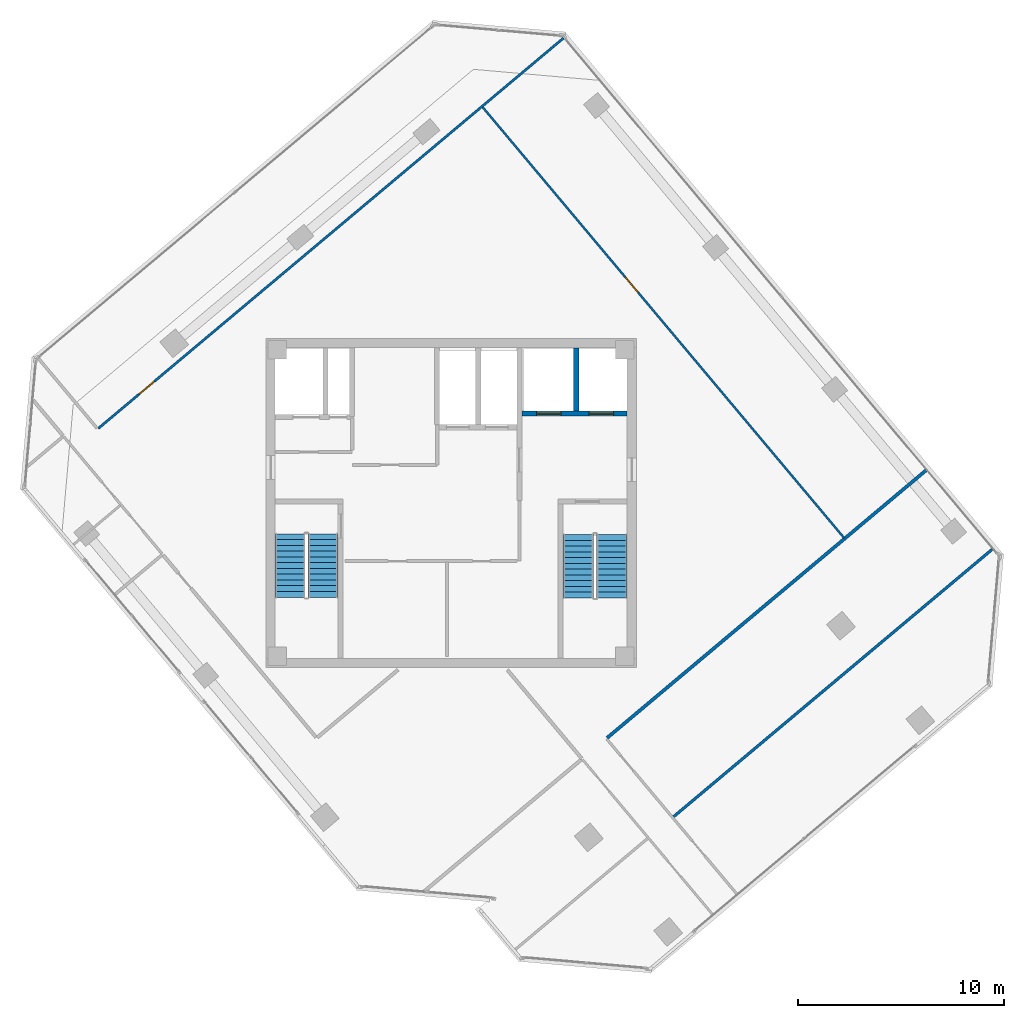
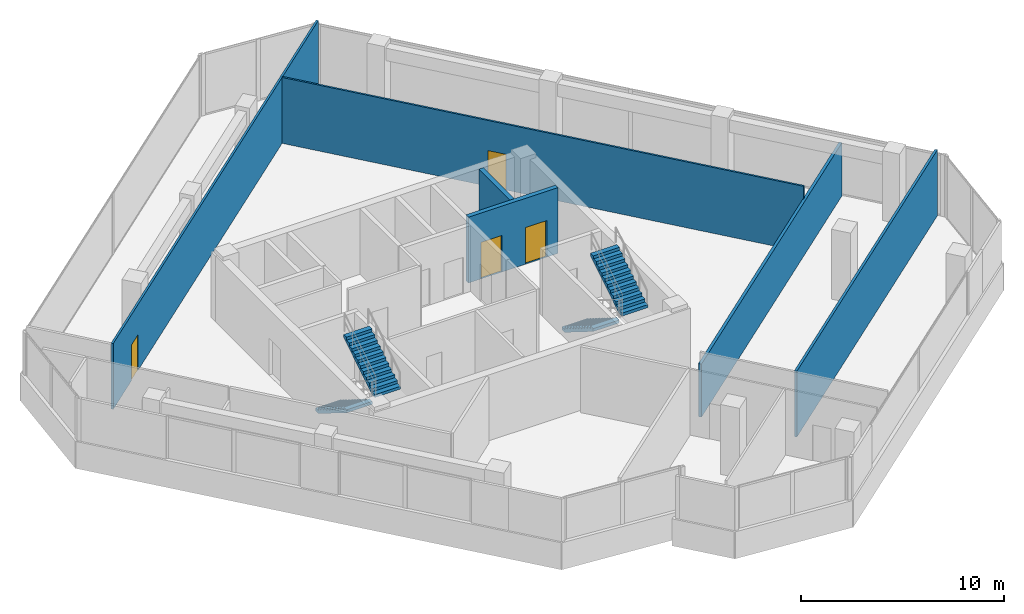
# One storey, part 14 of 17: 6 walls, 4 doors, 4 stair flights, 4 openings, 2 elements without a shape of their own.
"""IFC4 building model written with IfcOpenShell, lengths in metres."""

from ifc_helpers import new_model, si_unit, direction, frame, frame_2d, origin, place, context, subcontext, project, spatial, polyline, rectangle, outline, extrude, source, transform, mapped, material, layer, layer_set, type_object, element, fill, aggregate, save


model = new_model("IFC4")

# Units and contexts
model_context = context("Model", 3, precision=1e-05, world=origin(), true_north=direction((0.0, 1.0)))
body_context = subcontext(model_context, "Body", "Model", "MODEL_VIEW")
ifc_project = project(units=[si_unit("LENGTHUNIT", "METRE"), si_unit("AREAUNIT", "SQUARE_METRE"), si_unit("VOLUMEUNIT", "CUBIC_METRE"), si_unit("PLANEANGLEUNIT", "RADIAN"), si_unit("MASSUNIT", "GRAM", prefix="KILO")], contexts=[model_context])

# Site, building, storey
site_placement = place(None, origin())
site = spatial("IfcSite", under=ifc_project, at=site_placement, CompositionType="ELEMENT")
building_placement = place(site_placement, origin())
building = spatial("IfcBuilding", under=site, at=building_placement, Name="Torre Montelarca", CompositionType="ELEMENT")
storey_placement = place(building_placement, frame((0.0, 0.0, 271.0)))
storey = spatial("IfcBuildingStorey", under=building, at=storey_placement, Name="L61", CompositionType="ELEMENT", Elevation=271.0)

# Wall, openings, doors
ifc_material_1 = material(Name="Concrete C40/50", Category="concrete")
ifc_layer_1 = layer(ifc_material_1, 0.25, Name="Concrete C40/50", Category="concrete")
ifc_layer_set_1 = layer_set([ifc_layer_1], Name="Concrete C40/50")
wall_type_1 = type_object("IfcWallType", Name="CW-SHAFT-250", PredefinedType="SHEAR", material=ifc_layer_set_1)
wall_1_placement = place(storey_placement, frame((21.449951171875, 36.35009765625, 0.0), z_axis=(0.0, 0.0, 1.0), x_axis=(1.0, 0.0, 0.0)))
wall_1 = element("IfcWall", 1, at=wall_1_placement, inside=storey, type_object=wall_type_1, Name="L61 Core Shear Wall SH-FF-S", PredefinedType="SHEAR", context=body_context, shape_type="SweptSolid", body=[
    extrude(rectangle(XDim=5.090087890625, YDim=0.25, at=frame_2d((2.544921875, 0.0))), origin(), (0.0, 0.0, 1.0), 3.9599609375),
])
opening_1_placement = place(wall_1_placement, frame((0.699951171875, 0.0, 0.0)))
opening_1 = element("IfcOpeningElement", 2, at=opening_1_placement, cuts=wall_1, Name="Opening LD-120", PredefinedType="OPENING", context=body_context, shape_type="SweptSolid", body=[
    extrude(rectangle(XDim=1.199951171875, YDim=2.199951171875, at=frame_2d((0.60009765625, 1.10009765625))), frame((0.0, 0.135009765625, 0.0), z_axis=(0.0, -1.0, 0.0), x_axis=(1.0, 0.0, 0.0)), (0.0, 0.0, 1.0), 0.27001953125),
])
opening_2_placement = place(wall_1_placement, frame((3.25, 0.0, 0.0)))
opening_2 = element("IfcOpeningElement", 3, at=opening_2_placement, cuts=wall_1, Name="Opening LD-120", PredefinedType="OPENING", context=body_context, shape_type="SweptSolid", body=[
    extrude(rectangle(XDim=1.199951171875, YDim=2.199951171875, at=frame_2d((0.60009765625, 1.10009765625))), frame((0.0, 0.135009765625, 0.0), z_axis=(0.0, -1.0, 0.0), x_axis=(1.0, 0.0, 0.0)), (0.0, 0.0, 1.0), 0.27001953125),
])
ifc_material_2 = material(Name="Brushed stainless steel AISI 316", Category="steel")
door_type_1 = type_object("IfcDoorType", Name="DR-LIFT-120", OperationType="SLIDING_TO_RIGHT", PredefinedType="DOOR", material=ifc_material_2)
shared_shape_1 = source(origin(), body_context, "Body", "SweptSolid", [
    extrude(rectangle(XDim=1.199951171875, YDim=2.199951171875, at=frame_2d((0.60009765625, 1.10009765625))), frame((0.0, 0.02490234375, 0.0), z_axis=(0.0, -1.0, 0.0), x_axis=(1.0, 0.0, 0.0)), (0.0, 0.0, 1.0), 0.050048828125),
])
door_1_placement = place(opening_1_placement, origin())
door_1 = element("IfcDoor", 4, at=door_1_placement, inside=storey, type_object=door_type_1, Name="L61 Lift Landing Sliding Door FF-1", OperationType="SLIDING_TO_LEFT", OverallHeight=2.199951171875, OverallWidth=1.199951171875, PredefinedType="DOOR", context=body_context, shape_type="MappedRepresentation", body=[
    mapped(shared_shape_1, transform((0.0, 0.0, 0.0), scale=1.0)),
])
fill(opening_1, door_1)
door_2_placement = place(opening_2_placement, origin())
door_2 = element("IfcDoor", 5, at=door_2_placement, inside=storey, type_object=door_type_1, Name="L61 Lift Landing Sliding Door FF-2", OperationType="SLIDING_TO_RIGHT", OverallHeight=2.199951171875, OverallWidth=1.199951171875, PredefinedType="DOOR", context=body_context, shape_type="MappedRepresentation", body=[
    mapped(shared_shape_1, transform((0.0, 0.0, 0.0), scale=1.0)),
])
fill(opening_2, door_2)

# Walls
wall_2_placement = place(storey_placement, frame((24.080078125, 36.47998046875, 0.0), z_axis=(0.0, 0.0, 1.0), x_axis=(0.0, 1.0, 0.0)))
element("IfcWall", 6, at=wall_2_placement, inside=storey, type_object=wall_type_1, Name="L61 Core Shear Wall SH-FF-M", PredefinedType="SHEAR", context=body_context, shape_type="SweptSolid", body=[
    extrude(rectangle(XDim=3.06005859375, YDim=0.25, at=frame_2d((1.530029296875, 0.0))), origin(), (0.0, 0.0, 1.0), 3.9599609375),
])
ifc_material_3 = material(Name="Gypsum plasterboard on steel stud", Category="steel")
ifc_layer_2 = layer(ifc_material_3, 0.159912109375, Name="Gypsum plasterboard on steel stud", Category="steel")
ifc_layer_set_2 = layer_set([ifc_layer_2], Name="Gypsum plasterboard on steel stud")
wall_type_2 = type_object("IfcWallType", Name="PW-FIRE-160", PredefinedType="PARTITIONING", material=ifc_layer_set_2)
wall_3_placement = place(storey_placement, frame((25.57568359375, 20.577392578125, 0.0), z_axis=(0.0, 0.0, 1.0), x_axis=(0.76604764673, 0.642783791752, 0.0)))
element("IfcWall", 7, at=wall_3_placement, inside=storey, type_object=wall_type_2, Name="L61 Interior Partition W-L61-ECN", PredefinedType="PARTITIONING", context=body_context, shape_type="SweptSolid", body=[
    extrude(rectangle(XDim=20.239990234375, YDim=0.159912109375, at=frame_2d((10.1201171875, 0.0))), origin(), (0.0, 0.0, 1.0), 3.195068359375),
])

# Wall, opening, door
ifc_material_4 = material(Name="Acoustic laminated glass partition", Category="glass")
ifc_layer_3 = layer(ifc_material_4, 0.10009765625, Name="Acoustic laminated glass partition", Category="glass")
ifc_layer_set_3 = layer_set([ifc_layer_3], Name="Acoustic laminated glass partition")
wall_type_3 = type_object("IfcWallType", Name="PW-GLAZ-100", PredefinedType="PARTITIONING", material=ifc_layer_set_3)
wall_4_placement = place(storey_placement, frame((19.5283203125, 51.2451171875, 0.0), z_axis=(0.0, 0.0, 1.0), x_axis=(0.642782364439, -0.766048844374, 0.0)))
wall_4 = element("IfcWall", 8, at=wall_4_placement, inside=storey, type_object=wall_type_3, Name="L61 Interior Partition W-L61-NBOT", PredefinedType="PARTITIONING", context=body_context, shape_type="SweptSolid", body=[
    extrude(rectangle(XDim=27.340087890625, YDim=0.10009765625, at=frame_2d((13.669921875, 0.0))), origin(), (0.0, 0.0, 1.0), 3.9599609375),
])
opening_3_placement = place(wall_4_placement, frame((10.800048828125, 0.0, 0.0)))
opening_3 = element("IfcOpeningElement", 9, at=opening_3_placement, cuts=wall_4, Name="Opening ID-095", PredefinedType="OPENING", context=body_context, shape_type="SweptSolid", body=[
    extrude(rectangle(XDim=0.949951171875, YDim=2.14990234375, at=frame_2d((0.47509765625, 1.074951171875))), frame((0.0, 0.06005859375, 0.0), z_axis=(0.0, -1.0, 0.0), x_axis=(1.0, 0.0, 0.0)), (0.0, 0.0, 1.0), 0.1201171875),
])
ifc_material_5 = material(Name="Hardwood acoustic timber veneer", Category="wood")
door_type_2 = type_object("IfcDoorType", Name="DR-INT-095", OperationType="NOTDEFINED", PredefinedType="DOOR", material=ifc_material_5)
shared_shape_2 = source(origin(), body_context, "Body", "SweptSolid", [
    extrude(rectangle(XDim=0.949951171875, YDim=2.14990234375, at=frame_2d((0.47509765625, 1.074951171875))), frame((0.0, 0.02490234375, 0.0), z_axis=(0.0, -1.0, 0.0), x_axis=(1.0, 0.0, 0.0)), (0.0, 0.0, 1.0), 0.050048828125),
])
door_3_placement = place(opening_3_placement, origin())
door_3 = element("IfcDoor", 10, at=door_3_placement, inside=storey, type_object=door_type_2, Name="L61 Interior Door 08", OperationType="SINGLE_SWING_LEFT", OverallHeight=2.14990234375, OverallWidth=0.949951171875, PredefinedType="DOOR", context=body_context, shape_type="MappedRepresentation", body=[
    mapped(shared_shape_2, transform((0.0, 0.0, 0.0), scale=1.0)),
])
fill(opening_3, door_3)

ifc_layer_4 = layer(ifc_material_3, 0.114990234375, Name="Gypsum plasterboard on steel stud", Category="steel")
ifc_layer_set_4 = layer_set([ifc_layer_4], Name="Gypsum plasterboard on steel stud")
wall_type_4 = type_object("IfcWallType", Name="PW-PART-115", PredefinedType="PARTITIONING", material=ifc_layer_set_4)
wall_5_placement = place(storey_placement, frame((0.849365234375, 35.623779296875, 0.0), z_axis=(0.0, 0.0, 1.0), x_axis=(0.766042777978, 0.642789594119, 0.0)))
wall_5 = element("IfcWall", 11, at=wall_5_placement, inside=storey, type_object=wall_type_4, Name="L61 Interior Partition W-L61-WWGE", PredefinedType="PARTITIONING", context=body_context, shape_type="SweptSolid", body=[
    extrude(rectangle(XDim=29.510009765625, YDim=0.114990234375, at=frame_2d((14.7548828125, 0.0))), origin(), (0.0, 0.0, 1.0), 3.9599609375),
])
opening_4_placement = place(wall_5_placement, frame((2.60009765625, 0.0, 0.0)))
opening_4 = element("IfcOpeningElement", 12, at=opening_4_placement, cuts=wall_5, Name="Opening ID-095", PredefinedType="OPENING", context=body_context, shape_type="SweptSolid", body=[
    extrude(rectangle(XDim=0.949951171875, YDim=2.14990234375, at=frame_2d((0.47509765625, 1.074951171875))), frame((0.0, 0.0673828125, 0.0), z_axis=(0.0, -1.0, 0.0), x_axis=(1.0, 0.0, 0.0)), (0.0, 0.0, 1.0), 0.135009765625),
])
door_4_placement = place(opening_4_placement, origin())
door_4 = element("IfcDoor", 13, at=door_4_placement, inside=storey, type_object=door_type_2, Name="L61 Interior Door 09", OperationType="SINGLE_SWING_LEFT", OverallHeight=2.14990234375, OverallWidth=0.949951171875, PredefinedType="DOOR", context=body_context, shape_type="MappedRepresentation", body=[
    mapped(shared_shape_2, transform((0.0, 0.0, 0.0), scale=1.0)),
])
fill(opening_4, door_4)

# Wall
ifc_layer_5 = layer(ifc_material_3, 0.135009765625, Name="Gypsum plasterboard on steel stud", Category="steel")
ifc_layer_set_5 = layer_set([ifc_layer_5], Name="Gypsum plasterboard on steel stud")
wall_type_5 = type_object("IfcWallType", Name="PW-PART-135", PredefinedType="PARTITIONING", material=ifc_layer_set_5)
wall_6_placement = place(storey_placement, frame((28.796142578125, 16.739501953125, 0.0), z_axis=(0.0, 0.0, 1.0), x_axis=(0.766036723368, 0.642796809616, 0.0)))
element("IfcWall", 14, at=wall_6_placement, inside=storey, type_object=wall_type_5, Name="L61 Interior Partition W-L61-NEDIV-1", PredefinedType="PARTITIONING", context=body_context, shape_type="SweptSolid", body=[
    extrude(rectangle(XDim=20.239990234375, YDim=0.135009765625, at=frame_2d((10.1201171875, 0.0))), origin(), (0.0, 0.0, 1.0), 3.9599609375),
])

# Stair, stair flights
stair_type_1 = type_object("IfcStairType", Name="ST-CORE-ST1", PredefinedType="HALF_TURN_STAIR", material=ifc_material_1)
stair_1_placement = place(storey_placement, origin())
stair_1 = element("IfcStair", 15, at=stair_1_placement, inside=storey, type_object=stair_type_1, Name="L61 Protected Exit Stair ST1", PredefinedType="HALF_TURN_STAIR")
stair_flight_type_1 = type_object("IfcStairFlightType", Name="SFL-CORE-ST1", PredefinedType="STRAIGHT", material=ifc_material_1)
stair_flight_1_placement = place(storey_placement, frame((10.175048828125, 30.5, 0.0), z_axis=(0.0, 0.0, 1.0), x_axis=(0.0, -1.0, 0.0)))
stair_flight_1 = element("IfcStairFlight", 16, at=stair_flight_1_placement, type_object=stair_flight_type_1, Name="ST1 flight 1", NumberOfRisers=12, NumberOfTreads=11, PredefinedType="STRAIGHT", RiserHeight=0.175, TreadLength=0.28, context=body_context, shape_type="SweptSolid", body=[
    extrude(outline(polyline([(0.0, 0.0), (0.0, 0.175048828125), (0.280029296875, 0.175048828125), (0.280029296875, 0.35009765625), (0.56005859375, 0.35009765625), (0.56005859375, 0.52490234375), (0.840087890625, 0.52490234375), (0.840087890625, 0.699951171875), (1.1201171875, 0.699951171875), (1.1201171875, 0.875), (1.39990234375, 0.875), (1.39990234375, 1.050048828125), (1.679931640625, 1.050048828125), (1.679931640625, 1.22509765625), (1.9599609375, 1.22509765625), (1.9599609375, 1.39990234375), (2.239990234375, 1.39990234375), (2.239990234375, 1.574951171875), (2.52001953125, 1.574951171875), (2.52001953125, 1.75), (2.800048828125, 1.75), (2.800048828125, 1.925048828125), (3.080078125, 1.925048828125), (3.080078125, 2.10009765625), (3.080078125, 1.748291015625), (0.28271484375, 0.0), (0.0, 0.0)])), frame((0.0, 0.72509765625, 0.0), z_axis=(0.0, -1.0, 0.0), x_axis=(1.0, 0.0, 0.0)), (0.0, 0.0, 1.0), 1.449951171875),
])
stair_flight_2_placement = place(storey_placement, frame((11.77490234375, 27.419921875, 2.10009765625), z_axis=(0.0, 0.0, 1.0), x_axis=(0.0, 1.0, 0.0)))
stair_flight_2 = element("IfcStairFlight", 17, at=stair_flight_2_placement, type_object=stair_flight_type_1, Name="ST1 flight 2", NumberOfRisers=12, NumberOfTreads=11, PredefinedType="STRAIGHT", RiserHeight=0.175, TreadLength=0.28, context=body_context, shape_type="SweptSolid", body=[
    extrude(outline(polyline([(0.0, 0.0), (0.0, 0.175048828125), (0.280029296875, 0.175048828125), (0.280029296875, 0.35009765625), (0.56005859375, 0.35009765625), (0.56005859375, 0.52490234375), (0.840087890625, 0.52490234375), (0.840087890625, 0.699951171875), (1.1201171875, 0.699951171875), (1.1201171875, 0.875), (1.39990234375, 0.875), (1.39990234375, 1.050048828125), (1.679931640625, 1.050048828125), (1.679931640625, 1.22509765625), (1.9599609375, 1.22509765625), (1.9599609375, 1.39990234375), (2.239990234375, 1.39990234375), (2.239990234375, 1.574951171875), (2.52001953125, 1.574951171875), (2.52001953125, 1.75), (2.800048828125, 1.75), (2.800048828125, 1.925048828125), (3.080078125, 1.925048828125), (3.080078125, 2.10009765625), (3.080078125, 1.748291015625), (0.28271484375, 0.0), (0.0, 0.0)])), frame((0.0, 0.72509765625, 0.0), z_axis=(0.0, -1.0, 0.0), x_axis=(1.0, 0.0, 0.0)), (0.0, 0.0, 1.0), 1.449951171875),
])
aggregate(stair_1, [stair_flight_1, stair_flight_2])

stair_type_2 = type_object("IfcStairType", Name="ST-CORE-ST2", PredefinedType="HALF_TURN_STAIR", material=ifc_material_1)
stair_2_placement = place(storey_placement, origin())
stair_2 = element("IfcStair", 18, at=stair_2_placement, inside=storey, type_object=stair_type_2, Name="L61 Protected Exit Stair ST2", PredefinedType="HALF_TURN_STAIR")
stair_flight_type_2 = type_object("IfcStairFlightType", Name="SFL-CORE-ST2", PredefinedType="STRAIGHT", material=ifc_material_1)
stair_flight_3_placement = place(storey_placement, frame((24.179931640625, 30.469970703125, 0.0), z_axis=(0.0, 0.0, 1.0), x_axis=(0.0, -1.0, 0.0)))
stair_flight_3 = element("IfcStairFlight", 19, at=stair_flight_3_placement, type_object=stair_flight_type_2, Name="ST2 flight 1", NumberOfRisers=12, NumberOfTreads=11, PredefinedType="STRAIGHT", RiserHeight=0.175, TreadLength=0.28, context=body_context, shape_type="SweptSolid", body=[
    extrude(outline(polyline([(0.0, 0.0), (0.0, 0.175048828125), (0.280029296875, 0.175048828125), (0.280029296875, 0.35009765625), (0.56005859375, 0.35009765625), (0.56005859375, 0.52490234375), (0.840087890625, 0.52490234375), (0.840087890625, 0.699951171875), (1.1201171875, 0.699951171875), (1.1201171875, 0.875), (1.39990234375, 0.875), (1.39990234375, 1.050048828125), (1.679931640625, 1.050048828125), (1.679931640625, 1.22509765625), (1.9599609375, 1.22509765625), (1.9599609375, 1.39990234375), (2.239990234375, 1.39990234375), (2.239990234375, 1.574951171875), (2.52001953125, 1.574951171875), (2.52001953125, 1.75), (2.800048828125, 1.75), (2.800048828125, 1.925048828125), (3.080078125, 1.925048828125), (3.080078125, 2.10009765625), (3.080078125, 1.748291015625), (0.28271484375, 0.0), (0.0, 0.0)])), frame((0.0, 0.739990234375, 0.0), z_axis=(0.0, -1.0, 0.0), x_axis=(1.0, 0.0, 0.0)), (0.0, 0.0, 1.0), 1.47998046875),
])
stair_flight_4_placement = place(storey_placement, frame((25.81005859375, 27.389892578125, 2.10009765625), z_axis=(0.0, 0.0, 1.0), x_axis=(0.0, 1.0, 0.0)))
stair_flight_4 = element("IfcStairFlight", 20, at=stair_flight_4_placement, type_object=stair_flight_type_2, Name="ST2 flight 2", NumberOfRisers=12, NumberOfTreads=11, PredefinedType="STRAIGHT", RiserHeight=0.175, TreadLength=0.28, context=body_context, shape_type="SweptSolid", body=[
    extrude(outline(polyline([(0.0, 0.0), (0.0, 0.175048828125), (0.280029296875, 0.175048828125), (0.280029296875, 0.35009765625), (0.56005859375, 0.35009765625), (0.56005859375, 0.52490234375), (0.840087890625, 0.52490234375), (0.840087890625, 0.699951171875), (1.1201171875, 0.699951171875), (1.1201171875, 0.875), (1.39990234375, 0.875), (1.39990234375, 1.050048828125), (1.679931640625, 1.050048828125), (1.679931640625, 1.22509765625), (1.9599609375, 1.22509765625), (1.9599609375, 1.39990234375), (2.239990234375, 1.39990234375), (2.239990234375, 1.574951171875), (2.52001953125, 1.574951171875), (2.52001953125, 1.75), (2.800048828125, 1.75), (2.800048828125, 1.925048828125), (3.080078125, 1.925048828125), (3.080078125, 2.10009765625), (3.080078125, 1.748291015625), (0.28271484375, 0.0), (0.0, 0.0)])), frame((0.0, 0.739990234375, 0.0), z_axis=(0.0, -1.0, 0.0), x_axis=(1.0, 0.0, 0.0)), (0.0, 0.0, 1.0), 1.47998046875),
])
aggregate(stair_2, [stair_flight_3, stair_flight_4])

save(model, "model.ifc")
